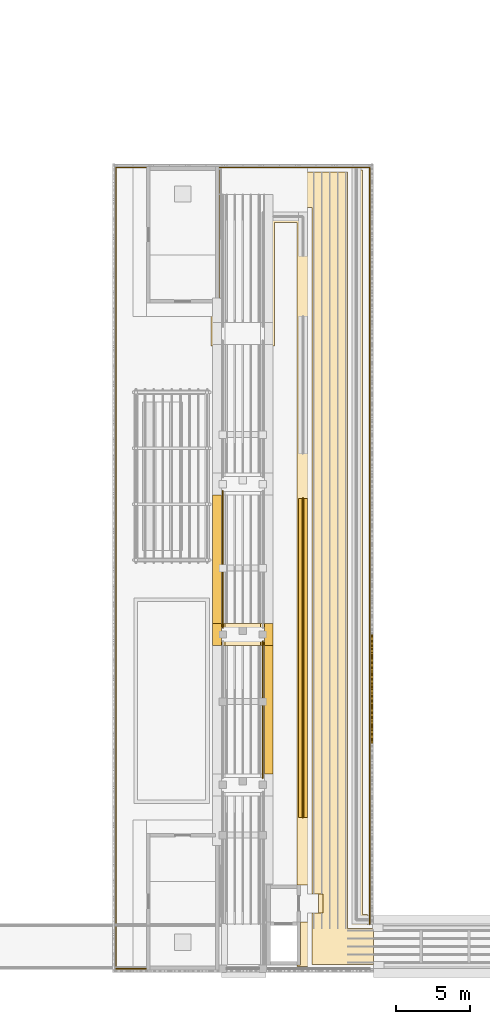
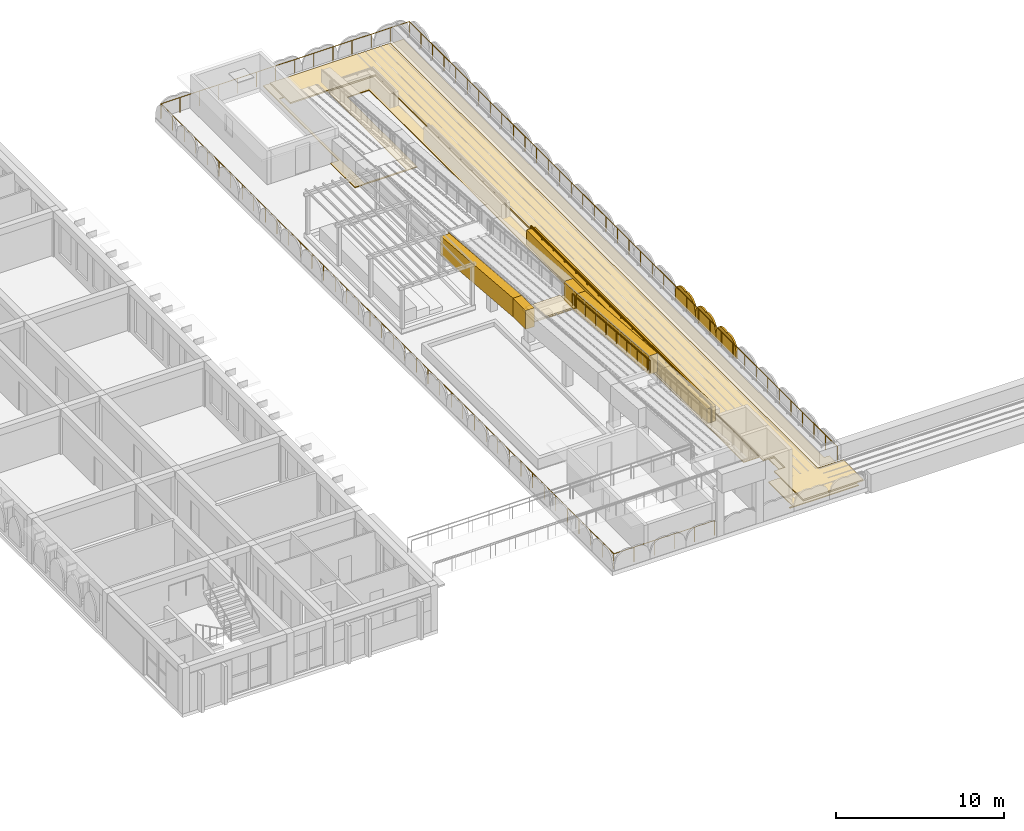
# One storey, part 63 of 65: 9 coverings, 4 railings, 3 shading devices.
"""IFC4 building model written with IfcOpenShell, lengths in metres."""

from ifc_helpers import new_model, si_unit, direction, frame, origin, origin_2d, place, context, subcontext, project, spatial, polyline, circle, outline, extrude, material, layer, layer_set, type_object, element, save


model = new_model("IFC4")

# Units and contexts
model_context = context("Model", 3, precision=1e-05, world=origin(), true_north=direction((0.0, 1.0)))
body_context = subcontext(model_context, "Body", "Model", "MODEL_VIEW")
ifc_project = project(units=[si_unit("LENGTHUNIT", "METRE"), si_unit("AREAUNIT", "SQUARE_METRE"), si_unit("VOLUMEUNIT", "CUBIC_METRE"), si_unit("PLANEANGLEUNIT", "RADIAN"), si_unit("MASSUNIT", "GRAM", prefix="KILO")], contexts=[model_context])

# Site, building, storey
site_placement = place(None, origin())
site = spatial("IfcSite", under=ifc_project, at=site_placement, CompositionType="ELEMENT")
building_placement = place(site_placement, origin())
building = spatial("IfcBuilding", under=site, at=building_placement, Name="Elbe Cascade School", CompositionType="ELEMENT")
storey_placement = place(building_placement, frame((0.0, 0.0, 11.699951171875)))
storey = spatial("IfcBuildingStorey", under=building, at=storey_placement, Name="L03", CompositionType="ELEMENT", Elevation=11.699951171875)

# Shading devices
ifc_material_1 = material(Name="Precast concrete C40/50", Category="concrete")
ifc_layer_1 = layer(ifc_material_1, 0.1201171875)
ifc_layer_set_1 = layer_set([ifc_layer_1], Name="Precast concrete C40/50")
shading_device_type = type_object("IfcShadingDeviceType", Name="Bars envelope Attic jali screen, pointed arch top, pierced precast concrete, 1200 high", PredefinedType="USERDEFINED", material=ifc_layer_set_1)
shading_device_1_placement = place(storey_placement, frame((145.52001953125, 21.202392578125, 0.0), z_axis=(1.0, 0.0, 0.0), x_axis=(0.0, 1.0, 0.0)))
element("IfcShadingDevice", 1, at=shading_device_1_placement, inside=storey, type_object=shading_device_type, Name="Attic jali screen SD1 C.L03.e7", ObjectType="JALI", PredefinedType="USERDEFINED", context=body_context, shape_type="SweptSolid", body=[
    extrude(outline(polyline([(0.0, 0.0), (2.4404296875, 0.0), (2.4404296875, 0.400146484375), (2.287841796875, 0.892822265625), (2.135498046875, 1.062744140625), (1.98291015625, 1.16748046875), (1.830322265625, 1.23193359375), (1.677734375, 1.265380859375), (1.525390625, 1.271240234375), (1.372802734375, 1.250244140625), (1.22021484375, 1.199951171875), (1.067626953125, 1.250244140625), (0.915283203125, 1.271240234375), (0.7626953125, 1.265380859375), (0.610107421875, 1.23193359375), (0.45751953125, 1.16748046875), (0.304931640625, 1.062744140625), (0.152587890625, 0.892822265625), (0.0, 0.400146484375), (0.0, 0.0)])), origin(), (0.0, 0.0, -1.0), 0.1201171875),
])
shading_device_2_placement = place(storey_placement, frame((145.52001953125, 23.642822265625, 0.0), z_axis=(1.0, 0.0, 0.0), x_axis=(0.0, 1.0, 0.0)))
element("IfcShadingDevice", 2, at=shading_device_2_placement, inside=storey, type_object=shading_device_type, Name="Attic jali screen SD1 C.L03.e8", ObjectType="JALI", PredefinedType="USERDEFINED", context=body_context, shape_type="SweptSolid", body=[
    extrude(outline(polyline([(0.0, 0.0), (2.4404296875, 0.0), (2.4404296875, 0.400146484375), (2.2880859375, 0.892822265625), (2.135498046875, 1.062744140625), (1.98291015625, 1.16748046875), (1.830322265625, 1.23193359375), (1.677978515625, 1.265380859375), (1.525390625, 1.271240234375), (1.372802734375, 1.250244140625), (1.22021484375, 1.199951171875), (1.06787109375, 1.250244140625), (0.915283203125, 1.271240234375), (0.7626953125, 1.265380859375), (0.610107421875, 1.23193359375), (0.45751953125, 1.16748046875), (0.30517578125, 1.062744140625), (0.152587890625, 0.892822265625), (0.0, 0.400146484375), (0.0, 0.0)])), origin(), (0.0, 0.0, -1.0), 0.1201171875),
])
shading_device_3_placement = place(storey_placement, frame((145.52001953125, 26.083251953125, 0.0), z_axis=(1.0, 0.0, 0.0), x_axis=(0.0, 1.0, 0.0)))
element("IfcShadingDevice", 3, at=shading_device_3_placement, inside=storey, type_object=shading_device_type, Name="Attic jali screen SD1 C.L03.e9", ObjectType="JALI", PredefinedType="USERDEFINED", context=body_context, shape_type="SweptSolid", body=[
    extrude(outline(polyline([(0.0, 0.0), (2.4404296875, 0.0), (2.4404296875, 0.400146484375), (2.2880859375, 0.892822265625), (2.135498046875, 1.062744140625), (1.98291015625, 1.16748046875), (1.83056640625, 1.23193359375), (1.677978515625, 1.265380859375), (1.525390625, 1.271240234375), (1.372802734375, 1.250244140625), (1.220458984375, 1.199951171875), (1.067626953125, 1.250244140625), (0.915283203125, 1.271240234375), (0.7626953125, 1.265380859375), (0.6103515625, 1.23193359375), (0.457763671875, 1.16748046875), (0.30517578125, 1.062744140625), (0.152587890625, 0.892822265625), (0.0, 0.400146484375), (0.0, 0.0)])), origin(), (0.0, 0.0, -1.0), 0.1201171875),
])

# Covering
ifc_material_2 = material(Name="Bituminous waterproofing membrane", Category="membrane")
ifc_layer_2 = layer(ifc_material_2, 0.06005859375)
ifc_layer_set_2 = layer_set([ifc_layer_2], Name="Bituminous waterproofing membrane")
covering_type_1 = type_object("IfcCoveringType", Name="Bars envelope Roof covering, bituminous waterproofing membrane", PredefinedType="ROOFING", material=ifc_layer_set_2)
covering_1_placement = place(storey_placement, origin())
element("IfcCovering", 4, at=covering_1_placement, inside=storey, type_object=covering_type_1, Name="Roof covering CV49 C.L03.3", PredefinedType="ROOFING", context=body_context, shape_type="SweptSolid", body=[
    extrude(outline(polyline([(135.14990234375, 50.875), (135.14990234375, 59.85009765625), (144.800048828125, 59.85009765625), (144.800048828125, 9.669921875), (145.14990234375, 9.669921875), (145.14990234375, 6.14990234375), (140.39990234375, 6.14990234375), (140.39990234375, 6.25), (140.64990234375, 6.25), (140.64990234375, 9.14990234375), (141.85009765625, 9.14990234375), (141.85009765625, 11.64990234375), (140.39990234375, 11.64990234375), (140.39990234375, 56.300048828125), (138.89990234375, 56.300048828125), (138.89990234375, 47.9599609375), (134.60009765625, 47.9599609375), (134.60009765625, 50.875), (135.14990234375, 50.875)]), holes=[polyline([(135.300048828125, 48.06005859375), (138.199951171875, 48.06005859375), (138.199951171875, 58.199951171875), (135.300048828125, 58.199951171875), (135.300048828125, 48.06005859375)])]), origin(), (0.0, 0.0, 1.0), 0.06005859375),
])

# Railing
ifc_material_3 = material(Name="Steel S355J2H, hot-dip galvanised", Category="steel")
railing_type_1 = type_object("IfcRailingType", Name="Bars envelope Roof edge guard 1100, galvanised steel", PredefinedType="GUARDRAIL", material=ifc_material_3)
railing_1_placement = place(storey_placement, frame((145.300048828125, 9.0, 0.0)))
element("IfcRailing", 5, at=railing_1_placement, inside=storey, type_object=railing_type_1, Name="Roof edge guard RL10 C.L03.3", PredefinedType="GUARDRAIL", context=body_context, shape_type="SweptSolid", body=[
    extrude(circle(Radius=0.02392578125, at=origin_2d()), frame((0.0, 0.0, 1.076171875), z_axis=(0.0, 1.0, 0.0), x_axis=(-1.0, 0.0, 0.0)), (0.0, 0.0, 1.0), 51.0),
    extrude(circle(Radius=0.02392578125, at=origin_2d()), frame((0.0, 51.0, 1.076171875), z_axis=(-1.0, 0.0, 0.0), x_axis=(0.0, -1.0, 0.0)), (0.0, 0.0, 1.0), 17.10009765625),
    extrude(circle(Radius=0.02392578125, at=origin_2d()), frame((-17.10009765625, 51.0, 1.076171875), z_axis=(0.0, -1.0, 0.0), x_axis=(1.0, 0.0, 0.0)), (0.0, 0.0, 1.0), 54.0),
    extrude(circle(Radius=0.02392578125, at=origin_2d()), frame((-17.10009765625, -3.0, 1.076171875), z_axis=(1.0, 0.0, 0.0), x_axis=(0.0, 1.0, 0.0)), (0.0, 0.0, 1.0), 6.928955078125),
    extrude(circle(Radius=0.02099609375, at=origin_2d()), origin(), (0.0, 0.0, 1.0), 1.052001953125),
    extrude(circle(Radius=0.02099609375, at=origin_2d()), frame((0.0, 1.37841796875, 0.0)), (0.0, 0.0, 1.0), 1.052001953125),
    extrude(circle(Radius=0.02099609375, at=origin_2d()), frame((0.0, 2.7568359375, 0.0)), (0.0, 0.0, 1.0), 1.052001953125),
    extrude(circle(Radius=0.02099609375, at=origin_2d()), frame((0.0, 4.13525390625, 0.0)), (0.0, 0.0, 1.0), 1.052001953125),
    extrude(circle(Radius=0.02099609375, at=origin_2d()), frame((0.0, 5.513427734375, 0.0)), (0.0, 0.0, 1.0), 1.052001953125),
    extrude(circle(Radius=0.02099609375, at=origin_2d()), frame((0.0, 6.891845703125, 0.0)), (0.0, 0.0, 1.0), 1.052001953125),
    extrude(circle(Radius=0.02099609375, at=origin_2d()), frame((0.0, 8.270263671875, 0.0)), (0.0, 0.0, 1.0), 1.052001953125),
    extrude(circle(Radius=0.02099609375, at=origin_2d()), frame((0.0, 9.648681640625, 0.0)), (0.0, 0.0, 1.0), 1.052001953125),
    extrude(circle(Radius=0.02099609375, at=origin_2d()), frame((0.0, 11.027099609375, 0.0)), (0.0, 0.0, 1.0), 1.052001953125),
    extrude(circle(Radius=0.02099609375, at=origin_2d()), frame((0.0, 12.405517578125, 0.0)), (0.0, 0.0, 1.0), 1.052001953125),
    extrude(circle(Radius=0.02099609375, at=origin_2d()), frame((0.0, 13.78369140625, 0.0)), (0.0, 0.0, 1.0), 1.052001953125),
    extrude(circle(Radius=0.02099609375, at=origin_2d()), frame((0.0, 15.162109375, 0.0)), (0.0, 0.0, 1.0), 1.052001953125),
    extrude(circle(Radius=0.02099609375, at=origin_2d()), frame((0.0, 16.54052734375, 0.0)), (0.0, 0.0, 1.0), 1.052001953125),
    extrude(circle(Radius=0.02099609375, at=origin_2d()), frame((0.0, 17.9189453125, 0.0)), (0.0, 0.0, 1.0), 1.052001953125),
    extrude(circle(Radius=0.02099609375, at=origin_2d()), frame((0.0, 19.29736328125, 0.0)), (0.0, 0.0, 1.0), 1.052001953125),
    extrude(circle(Radius=0.02099609375, at=origin_2d()), frame((0.0, 20.67578125, 0.0)), (0.0, 0.0, 1.0), 1.052001953125),
    extrude(circle(Radius=0.02099609375, at=origin_2d()), frame((0.0, 22.053955078125, 0.0)), (0.0, 0.0, 1.0), 1.052001953125),
    extrude(circle(Radius=0.02099609375, at=origin_2d()), frame((0.0, 23.432373046875, 0.0)), (0.0, 0.0, 1.0), 1.052001953125),
    extrude(circle(Radius=0.02099609375, at=origin_2d()), frame((0.0, 24.810791015625, 0.0)), (0.0, 0.0, 1.0), 1.052001953125),
    extrude(circle(Radius=0.02099609375, at=origin_2d()), frame((0.0, 26.189208984375, 0.0)), (0.0, 0.0, 1.0), 1.052001953125),
    extrude(circle(Radius=0.02099609375, at=origin_2d()), frame((0.0, 27.567626953125, 0.0)), (0.0, 0.0, 1.0), 1.052001953125),
    extrude(circle(Radius=0.02099609375, at=origin_2d()), frame((0.0, 28.946044921875, 0.0)), (0.0, 0.0, 1.0), 1.052001953125),
    extrude(circle(Radius=0.02099609375, at=origin_2d()), frame((0.0, 30.32421875, 0.0)), (0.0, 0.0, 1.0), 1.052001953125),
    extrude(circle(Radius=0.02099609375, at=origin_2d()), frame((0.0, 31.70263671875, 0.0)), (0.0, 0.0, 1.0), 1.052001953125),
    extrude(circle(Radius=0.02099609375, at=origin_2d()), frame((0.0, 33.0810546875, 0.0)), (0.0, 0.0, 1.0), 1.052001953125),
    extrude(circle(Radius=0.02099609375, at=origin_2d()), frame((0.0, 34.45947265625, 0.0)), (0.0, 0.0, 1.0), 1.052001953125),
    extrude(circle(Radius=0.02099609375, at=origin_2d()), frame((0.0, 35.837890625, 0.0)), (0.0, 0.0, 1.0), 1.052001953125),
    extrude(circle(Radius=0.02099609375, at=origin_2d()), frame((0.0, 37.21630859375, 0.0)), (0.0, 0.0, 1.0), 1.052001953125),
    extrude(circle(Radius=0.02099609375, at=origin_2d()), frame((0.0, 38.594482421875, 0.0)), (0.0, 0.0, 1.0), 1.052001953125),
    extrude(circle(Radius=0.02099609375, at=origin_2d()), frame((0.0, 39.972900390625, 0.0)), (0.0, 0.0, 1.0), 1.052001953125),
    extrude(circle(Radius=0.02099609375, at=origin_2d()), frame((0.0, 41.351318359375, 0.0)), (0.0, 0.0, 1.0), 1.052001953125),
    extrude(circle(Radius=0.02099609375, at=origin_2d()), frame((0.0, 42.729736328125, 0.0)), (0.0, 0.0, 1.0), 1.052001953125),
    extrude(circle(Radius=0.02099609375, at=origin_2d()), frame((0.0, 44.108154296875, 0.0)), (0.0, 0.0, 1.0), 1.052001953125),
    extrude(circle(Radius=0.02099609375, at=origin_2d()), frame((0.0, 45.486572265625, 0.0)), (0.0, 0.0, 1.0), 1.052001953125),
    extrude(circle(Radius=0.02099609375, at=origin_2d()), frame((0.0, 46.86474609375, 0.0)), (0.0, 0.0, 1.0), 1.052001953125),
    extrude(circle(Radius=0.02099609375, at=origin_2d()), frame((0.0, 48.2431640625, 0.0)), (0.0, 0.0, 1.0), 1.052001953125),
    extrude(circle(Radius=0.02099609375, at=origin_2d()), frame((0.0, 49.62158203125, 0.0)), (0.0, 0.0, 1.0), 1.052001953125),
    extrude(circle(Radius=0.02099609375, at=origin_2d()), frame((0.0, 51.0, 0.0)), (0.0, 0.0, 1.0), 1.052001953125),
    extrude(circle(Radius=0.02099609375, at=origin_2d()), frame((-1.3154296875, 51.0, 0.0)), (0.0, 0.0, 1.0), 1.052001953125),
    extrude(circle(Radius=0.02099609375, at=origin_2d()), frame((-2.630859375, 51.0, 0.0)), (0.0, 0.0, 1.0), 1.052001953125),
    extrude(circle(Radius=0.02099609375, at=origin_2d()), frame((-3.9462890625, 51.0, 0.0)), (0.0, 0.0, 1.0), 1.052001953125),
    extrude(circle(Radius=0.02099609375, at=origin_2d()), frame((-5.261474609375, 51.0, 0.0)), (0.0, 0.0, 1.0), 1.052001953125),
    extrude(circle(Radius=0.02099609375, at=origin_2d()), frame((-6.576904296875, 51.0, 0.0)), (0.0, 0.0, 1.0), 1.052001953125),
    extrude(circle(Radius=0.02099609375, at=origin_2d()), frame((-7.892333984375, 51.0, 0.0)), (0.0, 0.0, 1.0), 1.052001953125),
    extrude(circle(Radius=0.02099609375, at=origin_2d()), frame((-9.207763671875, 51.0, 0.0)), (0.0, 0.0, 1.0), 1.052001953125),
    extrude(circle(Radius=0.02099609375, at=origin_2d()), frame((-10.523193359375, 51.0, 0.0)), (0.0, 0.0, 1.0), 1.052001953125),
    extrude(circle(Radius=0.02099609375, at=origin_2d()), frame((-11.838623046875, 51.0, 0.0)), (0.0, 0.0, 1.0), 1.052001953125),
    extrude(circle(Radius=0.02099609375, at=origin_2d()), frame((-13.15380859375, 51.0, 0.0)), (0.0, 0.0, 1.0), 1.052001953125),
    extrude(circle(Radius=0.02099609375, at=origin_2d()), frame((-14.46923828125, 51.0, 0.0)), (0.0, 0.0, 1.0), 1.052001953125),
    extrude(circle(Radius=0.02099609375, at=origin_2d()), frame((-15.78466796875, 51.0, 0.0)), (0.0, 0.0, 1.0), 1.052001953125),
    extrude(circle(Radius=0.02099609375, at=origin_2d()), frame((-17.10009765625, 51.0, 0.0)), (0.0, 0.0, 1.0), 1.052001953125),
    extrude(circle(Radius=0.02099609375, at=origin_2d()), frame((-17.10009765625, 49.615478515625, 0.0)), (0.0, 0.0, 1.0), 1.052001953125),
    extrude(circle(Radius=0.02099609375, at=origin_2d()), frame((-17.10009765625, 48.230712890625, 0.0)), (0.0, 0.0, 1.0), 1.052001953125),
    extrude(circle(Radius=0.02099609375, at=origin_2d()), frame((-17.10009765625, 46.84619140625, 0.0)), (0.0, 0.0, 1.0), 1.052001953125),
    extrude(circle(Radius=0.02099609375, at=origin_2d()), frame((-17.10009765625, 45.46142578125, 0.0)), (0.0, 0.0, 1.0), 1.052001953125),
    extrude(circle(Radius=0.02099609375, at=origin_2d()), frame((-17.10009765625, 44.076904296875, 0.0)), (0.0, 0.0, 1.0), 1.052001953125),
    extrude(circle(Radius=0.02099609375, at=origin_2d()), frame((-17.10009765625, 42.6923828125, 0.0)), (0.0, 0.0, 1.0), 1.052001953125),
    extrude(circle(Radius=0.02099609375, at=origin_2d()), frame((-17.10009765625, 41.3076171875, 0.0)), (0.0, 0.0, 1.0), 1.052001953125),
    extrude(circle(Radius=0.02099609375, at=origin_2d()), frame((-17.10009765625, 39.923095703125, 0.0)), (0.0, 0.0, 1.0), 1.052001953125),
    extrude(circle(Radius=0.02099609375, at=origin_2d()), frame((-17.10009765625, 38.53857421875, 0.0)), (0.0, 0.0, 1.0), 1.052001953125),
    extrude(circle(Radius=0.02099609375, at=origin_2d()), frame((-17.10009765625, 37.15380859375, 0.0)), (0.0, 0.0, 1.0), 1.052001953125),
    extrude(circle(Radius=0.02099609375, at=origin_2d()), frame((-17.10009765625, 35.769287109375, 0.0)), (0.0, 0.0, 1.0), 1.052001953125),
    extrude(circle(Radius=0.02099609375, at=origin_2d()), frame((-17.10009765625, 34.384521484375, 0.0)), (0.0, 0.0, 1.0), 1.052001953125),
    extrude(circle(Radius=0.02099609375, at=origin_2d()), frame((-17.10009765625, 33.0, 0.0)), (0.0, 0.0, 1.0), 1.052001953125),
    extrude(circle(Radius=0.02099609375, at=origin_2d()), frame((-17.10009765625, 31.615478515625, 0.0)), (0.0, 0.0, 1.0), 1.052001953125),
    extrude(circle(Radius=0.02099609375, at=origin_2d()), frame((-17.10009765625, 30.230712890625, 0.0)), (0.0, 0.0, 1.0), 1.052001953125),
    extrude(circle(Radius=0.02099609375, at=origin_2d()), frame((-17.10009765625, 28.84619140625, 0.0)), (0.0, 0.0, 1.0), 1.052001953125),
    extrude(circle(Radius=0.02099609375, at=origin_2d()), frame((-17.10009765625, 27.46142578125, 0.0)), (0.0, 0.0, 1.0), 1.052001953125),
    extrude(circle(Radius=0.02099609375, at=origin_2d()), frame((-17.10009765625, 26.076904296875, 0.0)), (0.0, 0.0, 1.0), 1.052001953125),
    extrude(circle(Radius=0.02099609375, at=origin_2d()), frame((-17.10009765625, 24.6923828125, 0.0)), (0.0, 0.0, 1.0), 1.052001953125),
    extrude(circle(Radius=0.02099609375, at=origin_2d()), frame((-17.10009765625, 23.3076171875, 0.0)), (0.0, 0.0, 1.0), 1.052001953125),
    extrude(circle(Radius=0.02099609375, at=origin_2d()), frame((-17.10009765625, 21.923095703125, 0.0)), (0.0, 0.0, 1.0), 1.052001953125),
    extrude(circle(Radius=0.02099609375, at=origin_2d()), frame((-17.10009765625, 20.53857421875, 0.0)), (0.0, 0.0, 1.0), 1.052001953125),
    extrude(circle(Radius=0.02099609375, at=origin_2d()), frame((-17.10009765625, 19.15380859375, 0.0)), (0.0, 0.0, 1.0), 1.052001953125),
    extrude(circle(Radius=0.02099609375, at=origin_2d()), frame((-17.10009765625, 17.769287109375, 0.0)), (0.0, 0.0, 1.0), 1.052001953125),
    extrude(circle(Radius=0.02099609375, at=origin_2d()), frame((-17.10009765625, 16.384521484375, 0.0)), (0.0, 0.0, 1.0), 1.052001953125),
    extrude(circle(Radius=0.02099609375, at=origin_2d()), frame((-17.10009765625, 15.0, 0.0)), (0.0, 0.0, 1.0), 1.052001953125),
    extrude(circle(Radius=0.02099609375, at=origin_2d()), frame((-17.10009765625, 13.615478515625, 0.0)), (0.0, 0.0, 1.0), 1.052001953125),
    extrude(circle(Radius=0.02099609375, at=origin_2d()), frame((-17.10009765625, 12.230712890625, 0.0)), (0.0, 0.0, 1.0), 1.052001953125),
    extrude(circle(Radius=0.02099609375, at=origin_2d()), frame((-17.10009765625, 10.84619140625, 0.0)), (0.0, 0.0, 1.0), 1.052001953125),
    extrude(circle(Radius=0.02099609375, at=origin_2d()), frame((-17.10009765625, 9.46142578125, 0.0)), (0.0, 0.0, 1.0), 1.052001953125),
    extrude(circle(Radius=0.02099609375, at=origin_2d()), frame((-17.10009765625, 8.076904296875, 0.0)), (0.0, 0.0, 1.0), 1.052001953125),
    extrude(circle(Radius=0.02099609375, at=origin_2d()), frame((-17.10009765625, 6.6923828125, 0.0)), (0.0, 0.0, 1.0), 1.052001953125),
    extrude(circle(Radius=0.02099609375, at=origin_2d()), frame((-17.10009765625, 5.3076171875, 0.0)), (0.0, 0.0, 1.0), 1.052001953125),
    extrude(circle(Radius=0.02099609375, at=origin_2d()), frame((-17.10009765625, 3.923095703125, 0.0)), (0.0, 0.0, 1.0), 1.052001953125),
    extrude(circle(Radius=0.02099609375, at=origin_2d()), frame((-17.10009765625, 2.53857421875, 0.0)), (0.0, 0.0, 1.0), 1.052001953125),
    extrude(circle(Radius=0.02099609375, at=origin_2d()), frame((-17.10009765625, 1.15380859375, 0.0)), (0.0, 0.0, 1.0), 1.052001953125),
    extrude(circle(Radius=0.02099609375, at=origin_2d()), frame((-17.10009765625, -0.230712890625, 0.0)), (0.0, 0.0, 1.0), 1.052001953125),
    extrude(circle(Radius=0.02099609375, at=origin_2d()), frame((-17.10009765625, -1.615478515625, 0.0)), (0.0, 0.0, 1.0), 1.052001953125),
    extrude(circle(Radius=0.02099609375, at=origin_2d()), frame((-17.10009765625, -3.0, 0.0)), (0.0, 0.0, 1.0), 1.052001953125),
    extrude(circle(Radius=0.02099609375, at=origin_2d()), frame((-15.71435546875, -3.0, 0.0)), (0.0, 0.0, 1.0), 1.052001953125),
    extrude(circle(Radius=0.02099609375, at=origin_2d()), frame((-14.32861328125, -3.0, 0.0)), (0.0, 0.0, 1.0), 1.052001953125),
    extrude(circle(Radius=0.02099609375, at=origin_2d()), frame((-12.942626953125, -3.0, 0.0)), (0.0, 0.0, 1.0), 1.052001953125),
    extrude(circle(Radius=0.02099609375, at=origin_2d()), frame((-11.556884765625, -3.0, 0.0)), (0.0, 0.0, 1.0), 1.052001953125),
    extrude(circle(Radius=0.02099609375, at=origin_2d()), frame((-10.171142578125, -3.0, 0.0)), (0.0, 0.0, 1.0), 1.052001953125),
])

# Coverings
ifc_material_4 = material(Name="Concrete C30/37 precast parapet", Category="concrete")
ifc_layer_3 = layer(ifc_material_4, 0.60009765625)
ifc_layer_set_3 = layer_set([ifc_layer_3], Name="Concrete C30/37 precast parapet")
covering_type_2 = type_object("IfcCoveringType", Name="Ramp and bridge parapet 600", PredefinedType="CLADDING", material=ifc_layer_set_3)
covering_2_placement = place(storey_placement, frame((0.0, 0.0, 1.920166015625)))
element("IfcCovering", 6, at=covering_2_placement, inside=storey, type_object=covering_type_2, Name="Ramp C landing 3 parapet w1", PredefinedType="CLADDING", context=body_context, shape_type="SweptSolid", body=[
    extrude(outline(polyline([(134.699951171875, 27.780029296875), (135.300048828125, 27.780029296875), (135.300048828125, 29.280029296875), (134.699951171875, 29.280029296875), (134.699951171875, 27.780029296875)])), origin(), (0.0, 0.0, 1.0), 1.35986328125),
])
covering_3_placement = place(storey_placement, frame((134.699951171875, 29.280029296875, 3.280029296875), z_axis=(0.0, 0.08304314939, 0.996545952447), x_axis=(0.0, 0.996545952447, -0.08304314939)))
element("IfcCovering", 7, at=covering_3_placement, inside=storey, type_object=covering_type_2, Name="Ramp C flight 3 parapet w1", PredefinedType="CLADDING", context=body_context, shape_type="SweptSolid", body=[
    extrude(outline(polyline([(0.0, 0.0), (8.669838612967244, 0.0), (8.669838612967244, -0.60009765625), (0.0, -0.60009765625), (0.0, 0.0)])), origin(), (0.08304314939, 0.0, -0.996545952447), 1.360107421875),
])
covering_4_placement = place(storey_placement, frame((0.0, 0.0, 1.920166015625)))
element("IfcCovering", 8, at=covering_4_placement, inside=storey, type_object=covering_type_2, Name="Ramp C landing 3 parapet e1", PredefinedType="CLADDING", context=body_context, shape_type="SweptSolid", body=[
    extrude(outline(polyline([(138.199951171875, 27.780029296875), (138.800048828125, 27.780029296875), (138.800048828125, 29.280029296875), (138.199951171875, 29.280029296875), (138.199951171875, 27.780029296875)])), origin(), (0.0, 0.0, 1.0), 1.35986328125),
])
covering_5_placement = place(storey_placement, frame((138.199951171875, 19.139892578125, 4.0), z_axis=(0.0, 0.083040819057, 0.996546146634), x_axis=(0.0, 0.996546146634, -0.083040819057)))
element("IfcCovering", 9, at=covering_5_placement, inside=storey, type_object=covering_type_2, Name="Ramp C flight 2 parapet e1", PredefinedType="CLADDING", context=body_context, shape_type="SweptSolid", body=[
    extrude(outline(polyline([(0.0, 0.0), (8.670081910342619, 0.0), (8.670081910342619, -0.60009765625), (0.0, -0.60009765625), (0.0, 0.0)])), origin(), (0.083040819057, 0.0, -0.996546146634), 1.360107421875),
])
ifc_material_5 = material(Name="Running track surfacing - red", Category="surfacing")
ifc_layer_4 = layer(ifc_material_5, 0.10009765625)
ifc_layer_set_4 = layer_set([ifc_layer_4], Name="Running track surfacing - red")
covering_type_3 = type_object("IfcCoveringType", Name="Running track band 100", PredefinedType="USERDEFINED", material=ifc_layer_set_4)
covering_6_placement = place(storey_placement, frame((0.0, 0.0, 0.1201171875)))
element("IfcCovering", 10, at=covering_6_placement, inside=storey, type_object=covering_type_3, Name="Running track band C roof", ObjectType="RUNNING TRACK", PredefinedType="USERDEFINED", context=body_context, shape_type="SweptSolid", body=[
    extrude(outline(polyline([(143.800048828125, 6.300048828125), (141.39990234375, 6.300048828125), (141.39990234375, 8.699951171875), (141.39990234375, 9.75), (142.14990234375, 9.75), (142.14990234375, 11.050048828125), (141.39990234375, 11.050048828125), (141.39990234375, 57.300048828125), (135.550048828125, 57.300048828125), (135.550048828125, 58.199951171875), (135.550048828125, 59.699951171875), (137.949951171875, 59.699951171875), (141.39990234375, 59.699951171875), (142.60009765625, 59.699951171875), (143.800048828125, 59.699951171875), (143.800048828125, 8.699951171875), (145.550048828125, 8.699951171875), (145.550048828125, 6.300048828125), (143.800048828125, 6.300048828125)])), origin(), (0.0, 0.0, 1.0), 0.099853515625),
])
covering_7_placement = place(storey_placement, frame((0.0, 0.0, 2.280029296875)))
element("IfcCovering", 11, at=covering_7_placement, inside=storey, type_object=covering_type_3, Name="Running track band C ramp landing 3", ObjectType="RUNNING TRACK", PredefinedType="USERDEFINED", context=body_context, shape_type="SweptSolid", body=[
    extrude(outline(polyline([(137.949951171875, 27.780029296875), (137.949951171875, 29.280029296875), (135.550048828125, 29.280029296875), (135.550048828125, 27.780029296875), (137.949951171875, 27.780029296875)])), origin(), (0.0, 0.0, 1.0), 0.10009765625),
])
ifc_material_6 = material(Name="Running track surfacing - red", Category="surfacing")
ifc_layer_5 = layer(ifc_material_6, 0.06005859375)
ifc_layer_set_5 = layer_set([ifc_layer_5], Name="Running track surfacing - red")
covering_type_4 = type_object("IfcCoveringType", Name="Running track surfacing 60", PredefinedType="USERDEFINED", material=ifc_layer_set_5)
covering_8_placement = place(storey_placement, frame((0.0, 0.0, 2.219970703125)))
element("IfcCovering", 12, at=covering_8_placement, inside=storey, type_object=covering_type_4, Name="Running track C ramp landing 3", ObjectType="RUNNING TRACK", PredefinedType="USERDEFINED", context=body_context, shape_type="SweptSolid", body=[
    extrude(outline(polyline([(138.199951171875, 27.780029296875), (138.199951171875, 29.280029296875), (135.300048828125, 29.280029296875), (135.300048828125, 27.780029296875), (138.199951171875, 27.780029296875)])), origin(), (0.0, 0.0, 1.0), 0.06005859375),
])

# Railings
ifc_material_7 = material(Name="Steel S355J2H", Category="steel")
railing_type_2 = type_object("IfcRailingType", Name="Track edge rail 1280", PredefinedType="GUARDRAIL", material=ifc_material_7)
railing_2_placement = place(storey_placement, frame((140.800048828125, 37.699951171875, 0.06005859375)))
element("IfcRailing", 13, at=railing_2_placement, inside=storey, type_object=railing_type_2, Name="Track edge rail RL6 C west 3", PredefinedType="GUARDRAIL", context=body_context, shape_type="SweptSolid", body=[
    extrude(circle(Radius=0.06005859375, at=origin_2d()), frame((0.0, 0.0, 1.219970703125), z_axis=(0.0, -1.0, 0.0), x_axis=(1.0, 0.0, 0.0)), (0.0, 0.0, 1.0), 21.5),
    extrude(circle(Radius=0.0400390625, at=origin_2d()), origin(), (0.0, 0.0, 1.0), 1.159912109375),
    extrude(circle(Radius=0.0400390625, at=origin_2d()), frame((0.0, -1.34375, 0.0)), (0.0, 0.0, 1.0), 1.159912109375),
    extrude(circle(Radius=0.0400390625, at=origin_2d()), frame((0.0, -2.6875, 0.0)), (0.0, 0.0, 1.0), 1.159912109375),
    extrude(circle(Radius=0.0400390625, at=origin_2d()), frame((0.0, -4.03125, 0.0)), (0.0, 0.0, 1.0), 1.159912109375),
    extrude(circle(Radius=0.0400390625, at=origin_2d()), frame((0.0, -5.375, 0.0)), (0.0, 0.0, 1.0), 1.159912109375),
    extrude(circle(Radius=0.0400390625, at=origin_2d()), frame((0.0, -6.71875, 0.0)), (0.0, 0.0, 1.0), 1.159912109375),
    extrude(circle(Radius=0.0400390625, at=origin_2d()), frame((0.0, -8.0625, 0.0)), (0.0, 0.0, 1.0), 1.159912109375),
    extrude(circle(Radius=0.0400390625, at=origin_2d()), frame((0.0, -9.40625, 0.0)), (0.0, 0.0, 1.0), 1.159912109375),
    extrude(circle(Radius=0.0400390625, at=origin_2d()), frame((0.0, -10.75, 0.0)), (0.0, 0.0, 1.0), 1.159912109375),
    extrude(circle(Radius=0.0400390625, at=origin_2d()), frame((0.0, -12.09375, 0.0)), (0.0, 0.0, 1.0), 1.159912109375),
    extrude(circle(Radius=0.0400390625, at=origin_2d()), frame((0.0, -13.4375, 0.0)), (0.0, 0.0, 1.0), 1.159912109375),
    extrude(circle(Radius=0.0400390625, at=origin_2d()), frame((0.0, -14.78125, 0.0)), (0.0, 0.0, 1.0), 1.159912109375),
    extrude(circle(Radius=0.0400390625, at=origin_2d()), frame((0.0, -16.125, 0.0)), (0.0, 0.0, 1.0), 1.159912109375),
    extrude(circle(Radius=0.0400390625, at=origin_2d()), frame((0.0, -17.46875, 0.0)), (0.0, 0.0, 1.0), 1.159912109375),
    extrude(circle(Radius=0.0400390625, at=origin_2d()), frame((0.0, -18.8125, 0.0)), (0.0, 0.0, 1.0), 1.159912109375),
    extrude(circle(Radius=0.0400390625, at=origin_2d()), frame((0.0, -20.15625, 0.0)), (0.0, 0.0, 1.0), 1.159912109375),
    extrude(circle(Radius=0.0400390625, at=origin_2d()), frame((0.0, -21.5, 0.0)), (0.0, 0.0, 1.0), 1.159912109375),
])
ifc_material_8 = material(Name="Steel S355J2H", Category="steel")
railing_type_3 = type_object("IfcRailingType", Name="Track handrail 900", PredefinedType="HANDRAIL", material=ifc_material_8)
railing_3_placement = place(storey_placement, frame((138.10009765625, 18.840087890625, 3.0)))
element("IfcRailing", 14, at=railing_3_placement, inside=storey, type_object=railing_type_3, Name="Track handrail RL5 B-C south and east flight 2", PredefinedType="HANDRAIL", context=body_context, shape_type="SweptSolid", body=[
    extrude(circle(Radius=0.0400390625, at=origin_2d()), frame((0.0, 0.0, 0.85986328125), z_axis=(0.0, 1.0, 0.0), x_axis=(-1.0, 0.0, 0.0)), (0.0, 0.0, 1.0), 0.2998046875),
    extrude(circle(Radius=0.0400390625, at=origin_2d()), frame((0.0, 0.2998046875, 0.85986328125), z_axis=(0.0, 0.996546146634, -0.083040819057), x_axis=(-1.0, 0.0, 0.0)), (0.0, 0.0, 1.0), 8.670166015625),
    extrude(circle(Radius=0.0400390625, at=origin_2d()), frame((0.0, 8.93994140625, 0.139892578125), z_axis=(0.0, 1.0, 0.0), x_axis=(-1.0, 0.0, 0.0)), (0.0, 0.0, 1.0), 0.300048828125),
    extrude(circle(Radius=0.02099609375, at=origin_2d()), origin(), (0.0, 0.0, 1.0), 0.81982421875),
    extrude(circle(Radius=0.02099609375, at=origin_2d()), frame((0.0, 0.2998046875, 0.0)), (0.0, 0.0, 1.0), 0.81982421875),
    extrude(circle(Radius=0.02099609375, at=origin_2d()), frame((0.0, 1.5341796875, -0.102783203125)), (0.0, 0.0, 1.0), 0.81982421875),
    extrude(circle(Radius=0.02099609375, at=origin_2d()), frame((0.0, 2.768310546875, -0.205810546875)), (0.0, 0.0, 1.0), 0.81982421875),
    extrude(circle(Radius=0.02099609375, at=origin_2d()), frame((0.0, 4.002685546875, -0.30859375)), (0.0, 0.0, 1.0), 0.81982421875),
    extrude(circle(Radius=0.02099609375, at=origin_2d()), frame((0.0, 5.237060546875, -0.411376953125)), (0.0, 0.0, 1.0), 0.81982421875),
    extrude(circle(Radius=0.02099609375, at=origin_2d()), frame((0.0, 6.471435546875, -0.51416015625)), (0.0, 0.0, 1.0), 0.81982421875),
    extrude(circle(Radius=0.02099609375, at=origin_2d()), frame((0.0, 7.70556640625, -0.6171875)), (0.0, 0.0, 1.0), 0.81982421875),
    extrude(circle(Radius=0.02099609375, at=origin_2d()), frame((0.0, 8.93994140625, -0.719970703125)), (0.0, 0.0, 1.0), 0.81982421875),
    extrude(circle(Radius=0.02099609375, at=origin_2d()), frame((0.0, 9.239990234375, -0.719970703125)), (0.0, 0.0, 1.0), 0.81982421875),
])
railing_4_placement = place(storey_placement, frame((135.39990234375, 28.97998046875, 2.280029296875)))
element("IfcRailing", 15, at=railing_4_placement, inside=storey, type_object=railing_type_3, Name="Track handrail RL5 B-C north and west flight 3", PredefinedType="HANDRAIL", context=body_context, shape_type="SweptSolid", body=[
    extrude(circle(Radius=0.0400390625, at=origin_2d()), frame((0.0, 0.0, 0.85986328125), z_axis=(0.0, 1.0, 0.0), x_axis=(-1.0, 0.0, 0.0)), (0.0, 0.0, 1.0), 0.300048828125),
    extrude(circle(Radius=0.0400390625, at=origin_2d()), frame((0.0, 0.300048828125, 0.85986328125), z_axis=(0.0, 0.996545952447, -0.08304314939), x_axis=(-1.0, 0.0, 0.0)), (0.0, 0.0, 1.0), 8.669921875),
    extrude(circle(Radius=0.0400390625, at=origin_2d()), frame((0.0, 8.93994140625, 0.139892578125), z_axis=(0.0, 1.0, 0.0), x_axis=(-1.0, 0.0, 0.0)), (0.0, 0.0, 1.0), 0.300048828125),
    extrude(circle(Radius=0.02099609375, at=origin_2d()), origin(), (0.0, 0.0, 1.0), 0.81982421875),
    extrude(circle(Radius=0.02099609375, at=origin_2d()), frame((0.0, 0.300048828125, 0.0)), (0.0, 0.0, 1.0), 0.81982421875),
    extrude(circle(Radius=0.02099609375, at=origin_2d()), frame((0.0, 1.534423828125, -0.102783203125)), (0.0, 0.0, 1.0), 0.81982421875),
    extrude(circle(Radius=0.02099609375, at=origin_2d()), frame((0.0, 2.7685546875, -0.205810546875)), (0.0, 0.0, 1.0), 0.81982421875),
    extrude(circle(Radius=0.02099609375, at=origin_2d()), frame((0.0, 4.0029296875, -0.30859375)), (0.0, 0.0, 1.0), 0.81982421875),
    extrude(circle(Radius=0.02099609375, at=origin_2d()), frame((0.0, 5.237060546875, -0.411376953125)), (0.0, 0.0, 1.0), 0.81982421875),
    extrude(circle(Radius=0.02099609375, at=origin_2d()), frame((0.0, 6.471435546875, -0.51416015625)), (0.0, 0.0, 1.0), 0.81982421875),
    extrude(circle(Radius=0.02099609375, at=origin_2d()), frame((0.0, 7.70556640625, -0.6171875)), (0.0, 0.0, 1.0), 0.81982421875),
    extrude(circle(Radius=0.02099609375, at=origin_2d()), frame((0.0, 8.93994140625, -0.719970703125)), (0.0, 0.0, 1.0), 0.81982421875),
    extrude(circle(Radius=0.02099609375, at=origin_2d()), frame((0.0, 9.239990234375, -0.719970703125)), (0.0, 0.0, 1.0), 0.81982421875),
])

# Covering
ifc_material_9 = material(Name="Concrete C30/37 precast parapet", Category="concrete")
ifc_layer_6 = layer(ifc_material_9, 0.60009765625)
ifc_layer_set_6 = layer_set([ifc_layer_6], Name="Concrete C30/37 precast parapet")
covering_type_5 = type_object("IfcCoveringType", Name="Track parapet on deck 600x1060", PredefinedType="CLADDING", material=ifc_layer_set_6)
covering_9_placement = place(storey_placement, frame((0.0, 0.0, 0.06005859375)))
element("IfcCovering", 16, at=covering_9_placement, inside=storey, type_object=covering_type_5, Name="Track parapet C west 3", PredefinedType="CLADDING", context=body_context, shape_type="SweptSolid", body=[
    extrude(outline(polyline([(140.5, 37.699951171875), (141.10009765625, 37.699951171875), (141.10009765625, 16.199951171875), (140.5, 16.199951171875), (140.5, 37.699951171875)])), origin(), (0.0, 0.0, 1.0), 1.06005859375),
])

save(model, "model.ifc")
